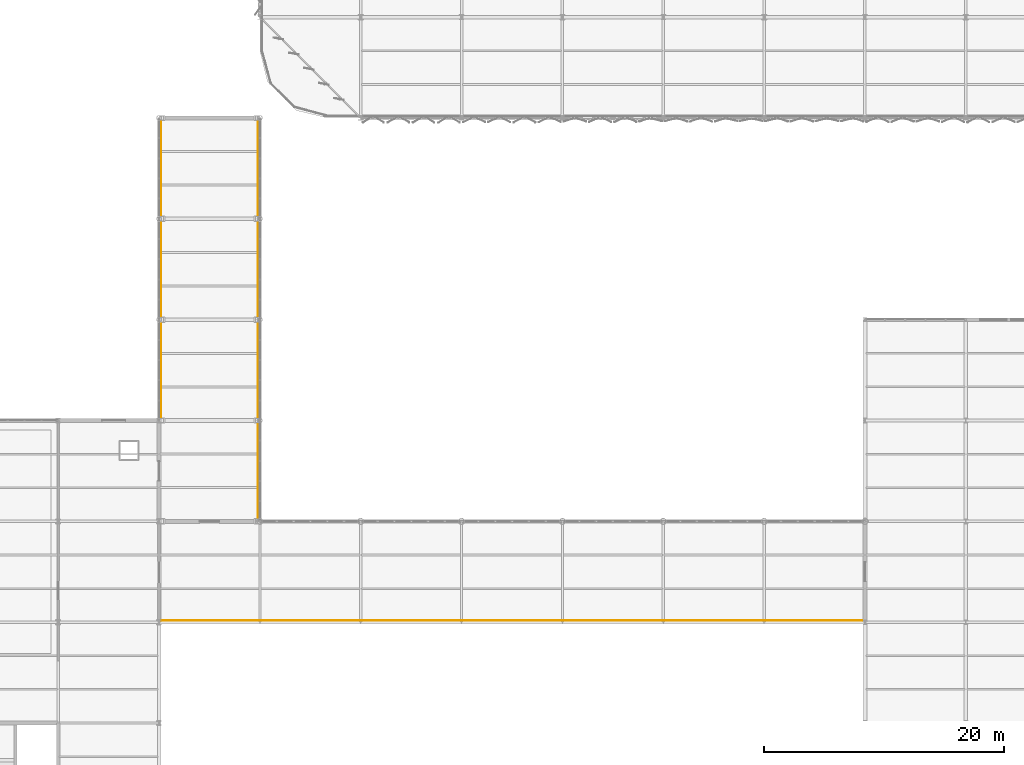
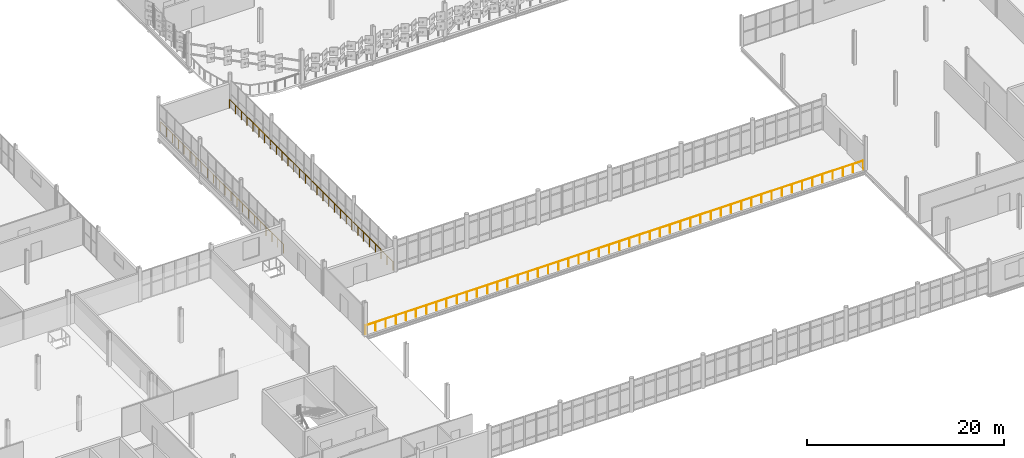
# One storey, part 156 of 163: 3 railings.
"""IFC4 building model written with IfcOpenShell, lengths in metres."""

from ifc_helpers import new_model, si_unit, direction, frame, origin, origin_2d, place, context, subcontext, project, spatial, circle, extrude, material, type_object, element, save


model = new_model("IFC4")

# Units and contexts
model_context = context("Model", 3, precision=1e-05, world=origin(), true_north=direction((0.0, 1.0)))
body_context = subcontext(model_context, "Body", "Model", "MODEL_VIEW")
ifc_project = project(units=[si_unit("LENGTHUNIT", "METRE"), si_unit("AREAUNIT", "SQUARE_METRE"), si_unit("VOLUMEUNIT", "CUBIC_METRE"), si_unit("PLANEANGLEUNIT", "RADIAN"), si_unit("MASSUNIT", "GRAM", prefix="KILO")], contexts=[model_context])

# Site, building, storey
site_placement = place(None, origin())
site = spatial("IfcSite", under=ifc_project, at=site_placement, CompositionType="ELEMENT")
building_placement = place(site_placement, origin())
building = spatial("IfcBuilding", under=site, at=building_placement, Name="Qalvenar Corner Mobility Hub", CompositionType="ELEMENT")
storey_placement = place(building_placement, frame((0.0, 0.0, 4.800048828125)))
storey = spatial("IfcBuildingStorey", under=building, at=storey_placement, Name="L01", CompositionType="ELEMENT", Elevation=4.800048828125)

# Railings
ifc_material = material(Name="Art Nouveau Bronze-Finished Steel Balustrade", Category="steel")
railing_type = type_object("IfcRailingType", Name="RL-GUARD-110", PredefinedType="GUARDRAIL", material=ifc_material)
railing_1_placement = place(storey_placement, frame((50.550048828125, 42.0, 0.0)))
element("IfcRailing", 1, at=railing_1_placement, inside=storey, type_object=railing_type, Name="Court Bridge Guardrail West L01", PredefinedType="GUARDRAIL", context=body_context, shape_type="SweptSolid", body=[
    extrude(circle(Radius=0.02392578125, at=origin_2d()), frame((0.0, 0.0, 1.09619140625), z_axis=(0.0, 1.0, 0.0), x_axis=(-1.0, 0.0, 0.0)), (0.0, 0.0, 1.0), 25.0),
    extrude(circle(Radius=0.02099609375, at=origin_2d()), origin(), (0.0, 0.0, 1.0), 1.072021484375),
    extrude(circle(Radius=0.02099609375, at=origin_2d()), frame((0.0, 1.1904296875, 0.0)), (0.0, 0.0, 1.0), 1.072021484375),
    extrude(circle(Radius=0.02099609375, at=origin_2d()), frame((0.0, 2.380859375, 0.0)), (0.0, 0.0, 1.0), 1.072021484375),
    extrude(circle(Radius=0.02099609375, at=origin_2d()), frame((0.0, 3.571533203125, 0.0)), (0.0, 0.0, 1.0), 1.072021484375),
    extrude(circle(Radius=0.02099609375, at=origin_2d()), frame((0.0, 4.761962890625, 0.0)), (0.0, 0.0, 1.0), 1.072021484375),
    extrude(circle(Radius=0.02099609375, at=origin_2d()), frame((0.0, 5.952392578125, 0.0)), (0.0, 0.0, 1.0), 1.072021484375),
    extrude(circle(Radius=0.02099609375, at=origin_2d()), frame((0.0, 7.142822265625, 0.0)), (0.0, 0.0, 1.0), 1.072021484375),
    extrude(circle(Radius=0.02099609375, at=origin_2d()), frame((0.0, 8.333251953125, 0.0)), (0.0, 0.0, 1.0), 1.072021484375),
    extrude(circle(Radius=0.02099609375, at=origin_2d()), frame((0.0, 9.52392578125, 0.0)), (0.0, 0.0, 1.0), 1.072021484375),
    extrude(circle(Radius=0.02099609375, at=origin_2d()), frame((0.0, 10.71435546875, 0.0)), (0.0, 0.0, 1.0), 1.072021484375),
    extrude(circle(Radius=0.02099609375, at=origin_2d()), frame((0.0, 11.90478515625, 0.0)), (0.0, 0.0, 1.0), 1.072021484375),
    extrude(circle(Radius=0.02099609375, at=origin_2d()), frame((0.0, 13.09521484375, 0.0)), (0.0, 0.0, 1.0), 1.072021484375),
    extrude(circle(Radius=0.02099609375, at=origin_2d()), frame((0.0, 14.28564453125, 0.0)), (0.0, 0.0, 1.0), 1.072021484375),
    extrude(circle(Radius=0.02099609375, at=origin_2d()), frame((0.0, 15.47607421875, 0.0)), (0.0, 0.0, 1.0), 1.072021484375),
    extrude(circle(Radius=0.02099609375, at=origin_2d()), frame((0.0, 16.666748046875, 0.0)), (0.0, 0.0, 1.0), 1.072021484375),
    extrude(circle(Radius=0.02099609375, at=origin_2d()), frame((0.0, 17.857177734375, 0.0)), (0.0, 0.0, 1.0), 1.072021484375),
    extrude(circle(Radius=0.02099609375, at=origin_2d()), frame((0.0, 19.047607421875, 0.0)), (0.0, 0.0, 1.0), 1.072021484375),
    extrude(circle(Radius=0.02099609375, at=origin_2d()), frame((0.0, 20.238037109375, 0.0)), (0.0, 0.0, 1.0), 1.072021484375),
    extrude(circle(Radius=0.02099609375, at=origin_2d()), frame((0.0, 21.428466796875, 0.0)), (0.0, 0.0, 1.0), 1.072021484375),
    extrude(circle(Radius=0.02099609375, at=origin_2d()), frame((0.0, 22.619140625, 0.0)), (0.0, 0.0, 1.0), 1.072021484375),
    extrude(circle(Radius=0.02099609375, at=origin_2d()), frame((0.0, 23.8095703125, 0.0)), (0.0, 0.0, 1.0), 1.072021484375),
    extrude(circle(Radius=0.02099609375, at=origin_2d()), frame((0.0, 25.0, 0.0)), (0.0, 0.0, 1.0), 1.072021484375),
])
railing_2_placement = place(storey_placement, frame((58.64990234375, 33.800048828125, 0.0)))
element("IfcRailing", 2, at=railing_2_placement, inside=storey, type_object=railing_type, Name="Court Bridge Guardrail East L01", PredefinedType="GUARDRAIL", context=body_context, shape_type="SweptSolid", body=[
    extrude(circle(Radius=0.02392578125, at=origin_2d()), frame((0.0, 0.0, 1.09619140625), z_axis=(0.0, 1.0, 0.0), x_axis=(-1.0, 0.0, 0.0)), (0.0, 0.0, 1.0), 33.199951171875),
    extrude(circle(Radius=0.02099609375, at=origin_2d()), origin(), (0.0, 0.0, 1.0), 1.072021484375),
    extrude(circle(Radius=0.02099609375, at=origin_2d()), frame((0.0, 1.185791015625, 0.0)), (0.0, 0.0, 1.0), 1.072021484375),
    extrude(circle(Radius=0.02099609375, at=origin_2d()), frame((0.0, 2.371337890625, 0.0)), (0.0, 0.0, 1.0), 1.072021484375),
    extrude(circle(Radius=0.02099609375, at=origin_2d()), frame((0.0, 3.55712890625, 0.0)), (0.0, 0.0, 1.0), 1.072021484375),
    extrude(circle(Radius=0.02099609375, at=origin_2d()), frame((0.0, 4.742919921875, 0.0)), (0.0, 0.0, 1.0), 1.072021484375),
    extrude(circle(Radius=0.02099609375, at=origin_2d()), frame((0.0, 5.928466796875, 0.0)), (0.0, 0.0, 1.0), 1.072021484375),
    extrude(circle(Radius=0.02099609375, at=origin_2d()), frame((0.0, 7.1142578125, 0.0)), (0.0, 0.0, 1.0), 1.072021484375),
    extrude(circle(Radius=0.02099609375, at=origin_2d()), frame((0.0, 8.300048828125, 0.0)), (0.0, 0.0, 1.0), 1.072021484375),
    extrude(circle(Radius=0.02099609375, at=origin_2d()), frame((0.0, 9.485595703125, 0.0)), (0.0, 0.0, 1.0), 1.072021484375),
    extrude(circle(Radius=0.02099609375, at=origin_2d()), frame((0.0, 10.67138671875, 0.0)), (0.0, 0.0, 1.0), 1.072021484375),
    extrude(circle(Radius=0.02099609375, at=origin_2d()), frame((0.0, 11.857177734375, 0.0)), (0.0, 0.0, 1.0), 1.072021484375),
    extrude(circle(Radius=0.02099609375, at=origin_2d()), frame((0.0, 13.042724609375, 0.0)), (0.0, 0.0, 1.0), 1.072021484375),
    extrude(circle(Radius=0.02099609375, at=origin_2d()), frame((0.0, 14.228515625, 0.0)), (0.0, 0.0, 1.0), 1.072021484375),
    extrude(circle(Radius=0.02099609375, at=origin_2d()), frame((0.0, 15.414306640625, 0.0)), (0.0, 0.0, 1.0), 1.072021484375),
    extrude(circle(Radius=0.02099609375, at=origin_2d()), frame((0.0, 16.60009765625, 0.0)), (0.0, 0.0, 1.0), 1.072021484375),
    extrude(circle(Radius=0.02099609375, at=origin_2d()), frame((0.0, 17.78564453125, 0.0)), (0.0, 0.0, 1.0), 1.072021484375),
    extrude(circle(Radius=0.02099609375, at=origin_2d()), frame((0.0, 18.971435546875, 0.0)), (0.0, 0.0, 1.0), 1.072021484375),
    extrude(circle(Radius=0.02099609375, at=origin_2d()), frame((0.0, 20.1572265625, 0.0)), (0.0, 0.0, 1.0), 1.072021484375),
    extrude(circle(Radius=0.02099609375, at=origin_2d()), frame((0.0, 21.3427734375, 0.0)), (0.0, 0.0, 1.0), 1.072021484375),
    extrude(circle(Radius=0.02099609375, at=origin_2d()), frame((0.0, 22.528564453125, 0.0)), (0.0, 0.0, 1.0), 1.072021484375),
    extrude(circle(Radius=0.02099609375, at=origin_2d()), frame((0.0, 23.71435546875, 0.0)), (0.0, 0.0, 1.0), 1.072021484375),
    extrude(circle(Radius=0.02099609375, at=origin_2d()), frame((0.0, 24.89990234375, 0.0)), (0.0, 0.0, 1.0), 1.072021484375),
    extrude(circle(Radius=0.02099609375, at=origin_2d()), frame((0.0, 26.085693359375, 0.0)), (0.0, 0.0, 1.0), 1.072021484375),
    extrude(circle(Radius=0.02099609375, at=origin_2d()), frame((0.0, 27.271484375, 0.0)), (0.0, 0.0, 1.0), 1.072021484375),
    extrude(circle(Radius=0.02099609375, at=origin_2d()), frame((0.0, 28.45703125, 0.0)), (0.0, 0.0, 1.0), 1.072021484375),
    extrude(circle(Radius=0.02099609375, at=origin_2d()), frame((0.0, 29.642822265625, 0.0)), (0.0, 0.0, 1.0), 1.072021484375),
    extrude(circle(Radius=0.02099609375, at=origin_2d()), frame((0.0, 30.82861328125, 0.0)), (0.0, 0.0, 1.0), 1.072021484375),
    extrude(circle(Radius=0.02099609375, at=origin_2d()), frame((0.0, 32.01416015625, 0.0)), (0.0, 0.0, 1.0), 1.072021484375),
    extrude(circle(Radius=0.02099609375, at=origin_2d()), frame((0.0, 33.199951171875, 0.0)), (0.0, 0.0, 1.0), 1.072021484375),
])
railing_3_placement = place(storey_placement, frame((50.550048828125, 25.35009765625, 0.0)))
element("IfcRailing", 3, at=railing_3_placement, inside=storey, type_object=railing_type, Name="Concourse Mezzanine Overlook Guardrail L01", PredefinedType="GUARDRAIL", context=body_context, shape_type="SweptSolid", body=[
    extrude(circle(Radius=0.02392578125, at=origin_2d()), frame((0.0, 0.0, 1.09619140625), z_axis=(1.0, 0.0, 0.0), x_axis=(0.0, 1.0, 0.0)), (0.0, 0.0, 1.0), 58.5),
    extrude(circle(Radius=0.02099609375, at=origin_2d()), origin(), (0.0, 0.0, 1.0), 1.072021484375),
    extrude(circle(Radius=0.02099609375, at=origin_2d()), frame((1.19384765625, 0.0, 0.0)), (0.0, 0.0, 1.0), 1.072021484375),
    extrude(circle(Radius=0.02099609375, at=origin_2d()), frame((2.3876953125, 0.0, 0.0)), (0.0, 0.0, 1.0), 1.072021484375),
    extrude(circle(Radius=0.02099609375, at=origin_2d()), frame((3.58154296875, 0.0, 0.0)), (0.0, 0.0, 1.0), 1.072021484375),
    extrude(circle(Radius=0.02099609375, at=origin_2d()), frame((4.775390625, 0.0, 0.0)), (0.0, 0.0, 1.0), 1.072021484375),
    extrude(circle(Radius=0.02099609375, at=origin_2d()), frame((5.969482421875, 0.0, 0.0)), (0.0, 0.0, 1.0), 1.072021484375),
    extrude(circle(Radius=0.02099609375, at=origin_2d()), frame((7.163330078125, 0.0, 0.0)), (0.0, 0.0, 1.0), 1.072021484375),
    extrude(circle(Radius=0.02099609375, at=origin_2d()), frame((8.357177734375, 0.0, 0.0)), (0.0, 0.0, 1.0), 1.072021484375),
    extrude(circle(Radius=0.02099609375, at=origin_2d()), frame((9.551025390625, 0.0, 0.0)), (0.0, 0.0, 1.0), 1.072021484375),
    extrude(circle(Radius=0.02099609375, at=origin_2d()), frame((10.744873046875, 0.0, 0.0)), (0.0, 0.0, 1.0), 1.072021484375),
    extrude(circle(Radius=0.02099609375, at=origin_2d()), frame((11.938720703125, 0.0, 0.0)), (0.0, 0.0, 1.0), 1.072021484375),
    extrude(circle(Radius=0.02099609375, at=origin_2d()), frame((13.132568359375, 0.0, 0.0)), (0.0, 0.0, 1.0), 1.072021484375),
    extrude(circle(Radius=0.02099609375, at=origin_2d()), frame((14.326416015625, 0.0, 0.0)), (0.0, 0.0, 1.0), 1.072021484375),
    extrude(circle(Radius=0.02099609375, at=origin_2d()), frame((15.5205078125, 0.0, 0.0)), (0.0, 0.0, 1.0), 1.072021484375),
    extrude(circle(Radius=0.02099609375, at=origin_2d()), frame((16.71435546875, 0.0, 0.0)), (0.0, 0.0, 1.0), 1.072021484375),
    extrude(circle(Radius=0.02099609375, at=origin_2d()), frame((17.908203125, 0.0, 0.0)), (0.0, 0.0, 1.0), 1.072021484375),
    extrude(circle(Radius=0.02099609375, at=origin_2d()), frame((19.10205078125, 0.0, 0.0)), (0.0, 0.0, 1.0), 1.072021484375),
    extrude(circle(Radius=0.02099609375, at=origin_2d()), frame((20.2958984375, 0.0, 0.0)), (0.0, 0.0, 1.0), 1.072021484375),
    extrude(circle(Radius=0.02099609375, at=origin_2d()), frame((21.48974609375, 0.0, 0.0)), (0.0, 0.0, 1.0), 1.072021484375),
    extrude(circle(Radius=0.02099609375, at=origin_2d()), frame((22.68359375, 0.0, 0.0)), (0.0, 0.0, 1.0), 1.072021484375),
    extrude(circle(Radius=0.02099609375, at=origin_2d()), frame((23.87744140625, 0.0, 0.0)), (0.0, 0.0, 1.0), 1.072021484375),
    extrude(circle(Radius=0.02099609375, at=origin_2d()), frame((25.071533203125, 0.0, 0.0)), (0.0, 0.0, 1.0), 1.072021484375),
    extrude(circle(Radius=0.02099609375, at=origin_2d()), frame((26.265380859375, 0.0, 0.0)), (0.0, 0.0, 1.0), 1.072021484375),
    extrude(circle(Radius=0.02099609375, at=origin_2d()), frame((27.459228515625, 0.0, 0.0)), (0.0, 0.0, 1.0), 1.072021484375),
    extrude(circle(Radius=0.02099609375, at=origin_2d()), frame((28.653076171875, 0.0, 0.0)), (0.0, 0.0, 1.0), 1.072021484375),
    extrude(circle(Radius=0.02099609375, at=origin_2d()), frame((29.846923828125, 0.0, 0.0)), (0.0, 0.0, 1.0), 1.072021484375),
    extrude(circle(Radius=0.02099609375, at=origin_2d()), frame((31.040771484375, 0.0, 0.0)), (0.0, 0.0, 1.0), 1.072021484375),
    extrude(circle(Radius=0.02099609375, at=origin_2d()), frame((32.234619140625, 0.0, 0.0)), (0.0, 0.0, 1.0), 1.072021484375),
    extrude(circle(Radius=0.02099609375, at=origin_2d()), frame((33.428466796875, 0.0, 0.0)), (0.0, 0.0, 1.0), 1.072021484375),
    extrude(circle(Radius=0.02099609375, at=origin_2d()), frame((34.62255859375, 0.0, 0.0)), (0.0, 0.0, 1.0), 1.072021484375),
    extrude(circle(Radius=0.02099609375, at=origin_2d()), frame((35.81640625, 0.0, 0.0)), (0.0, 0.0, 1.0), 1.072021484375),
    extrude(circle(Radius=0.02099609375, at=origin_2d()), frame((37.01025390625, 0.0, 0.0)), (0.0, 0.0, 1.0), 1.072021484375),
    extrude(circle(Radius=0.02099609375, at=origin_2d()), frame((38.2041015625, 0.0, 0.0)), (0.0, 0.0, 1.0), 1.072021484375),
    extrude(circle(Radius=0.02099609375, at=origin_2d()), frame((39.39794921875, 0.0, 0.0)), (0.0, 0.0, 1.0), 1.072021484375),
    extrude(circle(Radius=0.02099609375, at=origin_2d()), frame((40.591796875, 0.0, 0.0)), (0.0, 0.0, 1.0), 1.072021484375),
    extrude(circle(Radius=0.02099609375, at=origin_2d()), frame((41.78564453125, 0.0, 0.0)), (0.0, 0.0, 1.0), 1.072021484375),
    extrude(circle(Radius=0.02099609375, at=origin_2d()), frame((42.9794921875, 0.0, 0.0)), (0.0, 0.0, 1.0), 1.072021484375),
    extrude(circle(Radius=0.02099609375, at=origin_2d()), frame((44.173583984375, 0.0, 0.0)), (0.0, 0.0, 1.0), 1.072021484375),
    extrude(circle(Radius=0.02099609375, at=origin_2d()), frame((45.367431640625, 0.0, 0.0)), (0.0, 0.0, 1.0), 1.072021484375),
    extrude(circle(Radius=0.02099609375, at=origin_2d()), frame((46.561279296875, 0.0, 0.0)), (0.0, 0.0, 1.0), 1.072021484375),
    extrude(circle(Radius=0.02099609375, at=origin_2d()), frame((47.755126953125, 0.0, 0.0)), (0.0, 0.0, 1.0), 1.072021484375),
    extrude(circle(Radius=0.02099609375, at=origin_2d()), frame((48.948974609375, 0.0, 0.0)), (0.0, 0.0, 1.0), 1.072021484375),
    extrude(circle(Radius=0.02099609375, at=origin_2d()), frame((50.142822265625, 0.0, 0.0)), (0.0, 0.0, 1.0), 1.072021484375),
    extrude(circle(Radius=0.02099609375, at=origin_2d()), frame((51.336669921875, 0.0, 0.0)), (0.0, 0.0, 1.0), 1.072021484375),
    extrude(circle(Radius=0.02099609375, at=origin_2d()), frame((52.530517578125, 0.0, 0.0)), (0.0, 0.0, 1.0), 1.072021484375),
    extrude(circle(Radius=0.02099609375, at=origin_2d()), frame((53.724609375, 0.0, 0.0)), (0.0, 0.0, 1.0), 1.072021484375),
    extrude(circle(Radius=0.02099609375, at=origin_2d()), frame((54.91845703125, 0.0, 0.0)), (0.0, 0.0, 1.0), 1.072021484375),
    extrude(circle(Radius=0.02099609375, at=origin_2d()), frame((56.1123046875, 0.0, 0.0)), (0.0, 0.0, 1.0), 1.072021484375),
    extrude(circle(Radius=0.02099609375, at=origin_2d()), frame((57.30615234375, 0.0, 0.0)), (0.0, 0.0, 1.0), 1.072021484375),
    extrude(circle(Radius=0.02099609375, at=origin_2d()), frame((58.5, 0.0, 0.0)), (0.0, 0.0, 1.0), 1.072021484375),
])

save(model, "model.ifc")
